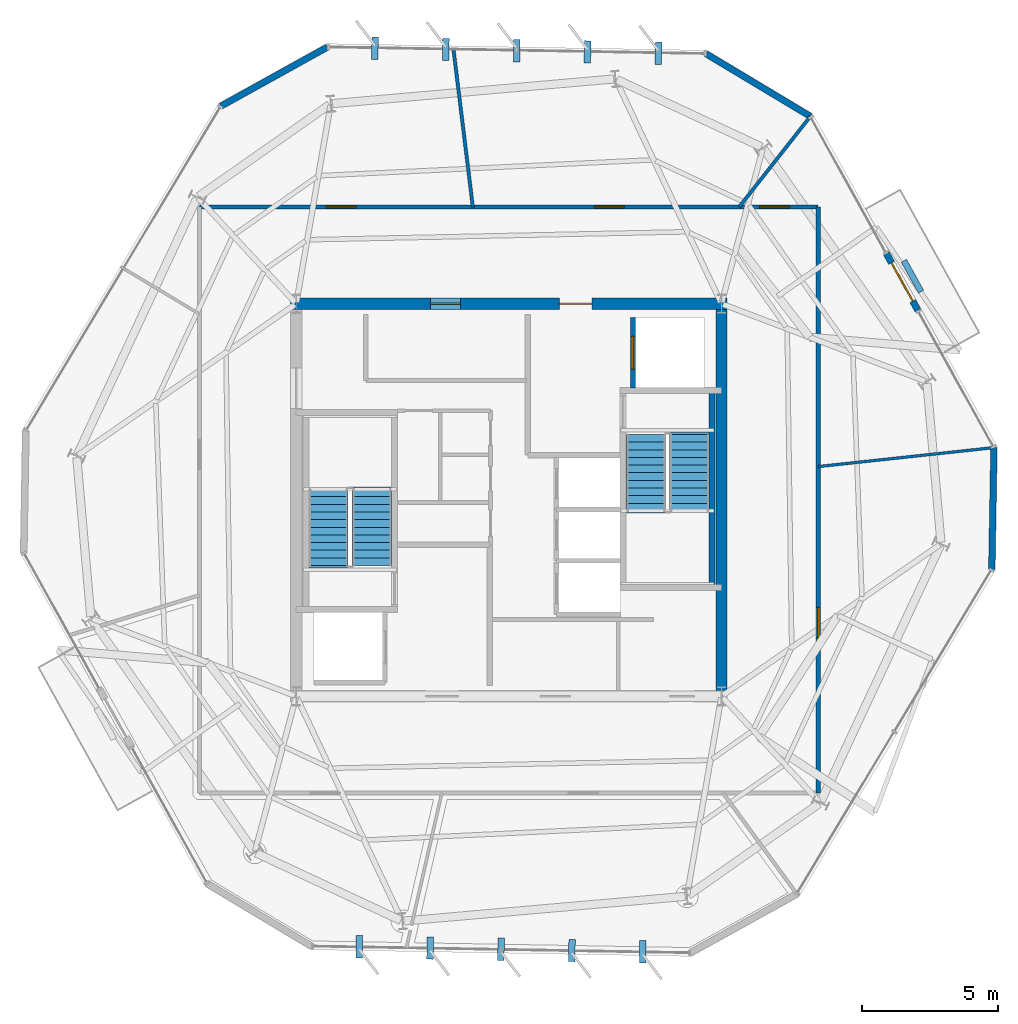
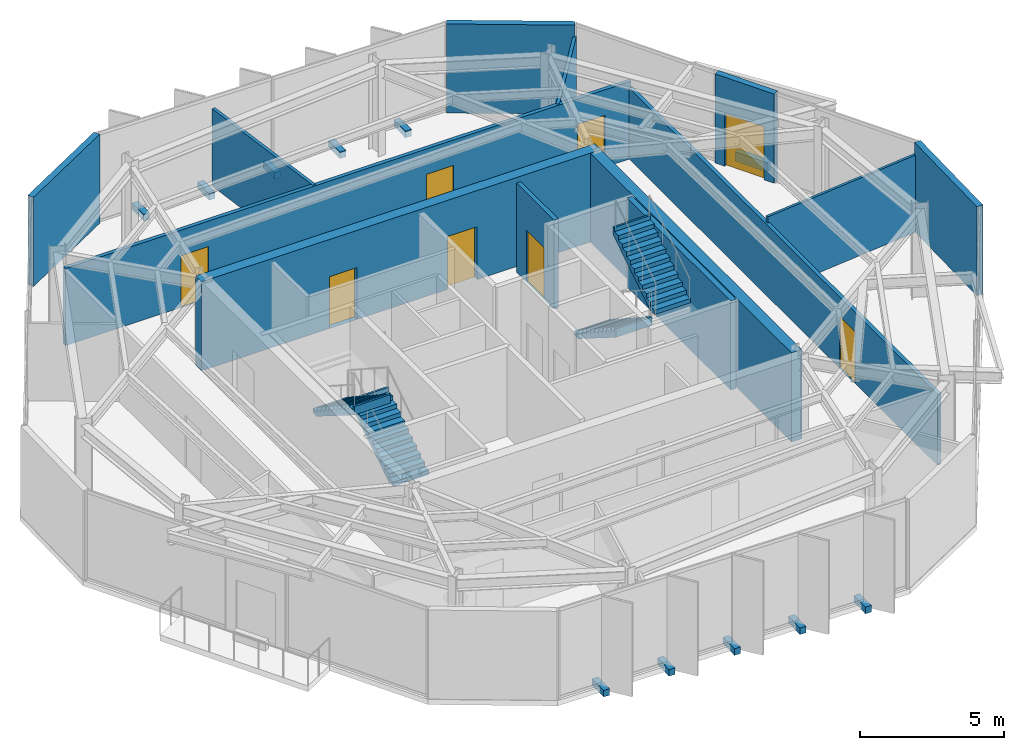
# One storey, part 8 of 10: 14 walls, 10 discrete accessories, 8 doors, 4 stair flights, 8 openings, 2 elements without a shape of their own.
"""IFC4 building model written with IfcOpenShell, lengths in metres."""

from ifc_helpers import new_model, si_unit, direction, frame, frame_2d, origin, origin_2d, place, context, subcontext, project, spatial, polyline, rectangle, outline, extrude, material, layer, layer_set, type_object, element, fill, aggregate, save


model = new_model("IFC4")

# Units and contexts
model_context = context("Model", 3, precision=1e-05, world=origin(), true_north=direction((0.0, 1.0)))
body_context = subcontext(model_context, "Body", "Model", "MODEL_VIEW")
ifc_project = project(units=[si_unit("LENGTHUNIT", "METRE"), si_unit("AREAUNIT", "SQUARE_METRE"), si_unit("VOLUMEUNIT", "CUBIC_METRE"), si_unit("PLANEANGLEUNIT", "RADIAN"), si_unit("MASSUNIT", "GRAM", prefix="KILO")], contexts=[model_context])

# Site, building, storey
site_placement = place(None, origin())
site = spatial("IfcSite", under=ifc_project, at=site_placement, CompositionType="ELEMENT")
building_placement = place(site_placement, origin())
building = spatial("IfcBuilding", under=site, at=building_placement, Name="Kranzbogen Civic Tower", CompositionType="ELEMENT")
storey_placement = place(building_placement, frame((0.0, 0.0, 262.199951171875)))
storey = spatial("IfcBuildingStorey", under=building, at=storey_placement, Name="L63", CompositionType="ELEMENT", Elevation=262.199951171875)

# Wall, openings, doors
ifc_material_1 = material(Name="Double-Stud Acoustic Gypsum Partition")
ifc_layer_1 = layer(ifc_material_1, 0.14990234375, Name="Double-Stud Acoustic Gypsum Partition")
ifc_layer_set_1 = layer_set([ifc_layer_1], Name="Double-Stud Acoustic Gypsum Partition")
wall_type_1 = type_object("IfcWallType", Name="Acoustic Corridor and Clinical Partition 150 mm", PredefinedType="PARTITIONING", material=ifc_layer_set_1)
wall_1_placement = place(storey_placement, frame((13.64990234375, 35.75, 0.0), z_axis=(0.0, 0.0, 1.0), x_axis=(1.0, 0.0, 0.0)))
wall_1 = element("IfcWall", 1, at=wall_1_placement, inside=storey, type_object=wall_type_1, Name="L63 corridor partition 01", PredefinedType="PARTITIONING", context=body_context, shape_type="SweptSolid", body=[
    extrude(rectangle(XDim=22.7001953125, YDim=0.14990234375, at=frame_2d((11.35009765625, 0.0))), origin(), (0.0, 0.0, 1.0), 3.280029296875),
])
opening_1_placement = place(wall_1_placement, frame((20.550048828125, 0.0, 0.0)))
opening_1 = element("IfcOpeningElement", 2, at=opening_1_placement, cuts=wall_1, Name="Opening D-COR60", PredefinedType="OPENING", context=body_context, shape_type="SweptSolid", body=[
    extrude(rectangle(XDim=1.10009765625, YDim=2.199951171875, at=frame_2d((0.550048828125, 1.10009765625))), frame((0.0, 0.0849609375, 0.0), z_axis=(0.0, -1.0, 0.0), x_axis=(1.0, 0.0, 0.0)), (0.0, 0.0, 1.0), 0.169921875),
])
opening_2_placement = place(wall_1_placement, frame((14.48291015625, 0.0, 0.0)))
opening_2 = element("IfcOpeningElement", 3, at=opening_2_placement, cuts=wall_1, Name="Opening D-COR60", PredefinedType="OPENING", context=body_context, shape_type="SweptSolid", body=[
    extrude(rectangle(XDim=1.10009765625, YDim=2.199951171875, at=frame_2d((0.550048828125, 1.10009765625))), frame((0.0, 0.0849609375, 0.0), z_axis=(0.0, -1.0, 0.0), x_axis=(1.0, 0.0, 0.0)), (0.0, 0.0, 1.0), 0.169921875),
])
opening_3_placement = place(wall_1_placement, frame((4.64404296875, 0.0, 0.0)))
opening_3 = element("IfcOpeningElement", 4, at=opening_3_placement, cuts=wall_1, Name="Opening D-COR60", PredefinedType="OPENING", context=body_context, shape_type="SweptSolid", body=[
    extrude(rectangle(XDim=1.10009765625, YDim=2.199951171875, at=frame_2d((0.550048828125, 1.10009765625))), frame((0.0, 0.0849609375, 0.0), z_axis=(0.0, -1.0, 0.0), x_axis=(1.0, 0.0, 0.0)), (0.0, 0.0, 1.0), 0.169921875),
])
ifc_material_2 = material(Name="Oak Timber and Fire Core", Category="wood")
door_type_1 = type_object("IfcDoorType", Name="Corridor Acoustic Fire Door 1100x2200", OperationType="NOTDEFINED", PredefinedType="DOOR", material=ifc_material_2)
door_1_placement = place(opening_1_placement, origin())
door_1 = element("IfcDoor", 5, at=door_1_placement, inside=storey, type_object=door_type_1, Name="L63 Staff Tea Pantry door", OperationType="SINGLE_SWING_LEFT", OverallHeight=2.199951171875, OverallWidth=1.10009765625, PredefinedType="DOOR", context=body_context, shape_type="SweptSolid", body=[
    extrude(rectangle(XDim=1.10009765625, YDim=2.199951171875, at=frame_2d((0.550048828125, 1.10009765625))), frame((0.0, 0.02490234375, 0.0), z_axis=(0.0, -1.0, 0.0), x_axis=(1.0, 0.0, 0.0)), (0.0, 0.0, 1.0), 0.050048828125),
])
fill(opening_1, door_1)
door_2_placement = place(opening_2_placement, origin())
door_2 = element("IfcDoor", 6, at=door_2_placement, inside=storey, type_object=door_type_1, Name="L63 Hospitality Catering Kitchen door", OperationType="SINGLE_SWING_RIGHT", OverallHeight=2.199951171875, OverallWidth=1.10009765625, PredefinedType="DOOR", context=body_context, shape_type="SweptSolid", body=[
    extrude(rectangle(XDim=1.10009765625, YDim=2.199951171875, at=frame_2d((0.550048828125, 1.10009765625))), frame((0.0, 0.02490234375, 0.0), z_axis=(0.0, -1.0, 0.0), x_axis=(1.0, 0.0, 0.0)), (0.0, 0.0, 1.0), 0.050048828125),
])
fill(opening_2, door_2)
door_3_placement = place(opening_3_placement, origin())
door_3 = element("IfcDoor", 7, at=door_3_placement, inside=storey, type_object=door_type_1, Name="L63 Refreshment Galley Pantry door", OperationType="SINGLE_SWING_LEFT", OverallHeight=2.199951171875, OverallWidth=1.10009765625, PredefinedType="DOOR", context=body_context, shape_type="SweptSolid", body=[
    extrude(rectangle(XDim=1.10009765625, YDim=2.199951171875, at=frame_2d((0.550048828125, 1.10009765625))), frame((0.0, 0.02490234375, 0.0), z_axis=(0.0, -1.0, 0.0), x_axis=(1.0, 0.0, 0.0)), (0.0, 0.0, 1.0), 0.050048828125),
])
fill(opening_3, door_3)

# Wall, opening, door
wall_2_placement = place(storey_placement, frame((36.35009765625, 35.75, 0.0), z_axis=(0.0, 0.0, 1.0), x_axis=(0.0, -1.0, 0.0)))
wall_2 = element("IfcWall", 8, at=wall_2_placement, inside=storey, type_object=wall_type_1, Name="L63 corridor partition 02", PredefinedType="PARTITIONING", context=body_context, shape_type="SweptSolid", body=[
    extrude(rectangle(XDim=21.5, YDim=0.14990234375, at=frame_2d((10.75, 0.0))), origin(), (0.0, 0.0, 1.0), 3.02001953125),
])
opening_4_placement = place(wall_2_placement, frame((14.68603515625, 0.0, 0.0)))
opening_4 = element("IfcOpeningElement", 9, at=opening_4_placement, cuts=wall_2, Name="Opening D-COR60", PredefinedType="OPENING", context=body_context, shape_type="SweptSolid", body=[
    extrude(rectangle(XDim=1.10009765625, YDim=2.199951171875, at=frame_2d((0.550048828125, 1.10009765625))), frame((0.0, 0.0849609375, 0.0), z_axis=(0.0, -1.0, 0.0), x_axis=(1.0, 0.0, 0.0)), (0.0, 0.0, 1.0), 0.169921875),
])
door_4_placement = place(opening_4_placement, origin())
door_4 = element("IfcDoor", 10, at=door_4_placement, inside=storey, type_object=door_type_1, Name="L63 Protocol Entrance Reception door", OperationType="SINGLE_SWING_RIGHT", OverallHeight=2.199951171875, OverallWidth=1.10009765625, PredefinedType="DOOR", context=body_context, shape_type="SweptSolid", body=[
    extrude(rectangle(XDim=1.10009765625, YDim=2.199951171875, at=frame_2d((0.550048828125, 1.10009765625))), frame((0.0, 0.02490234375, 0.0), z_axis=(0.0, -1.0, 0.0), x_axis=(1.0, 0.0, 0.0)), (0.0, 0.0, 1.0), 0.050048828125),
])
fill(opening_4, door_4)

# Walls
ifc_material_3 = material(Name="Insulated Metal-Stud Gypsum Partition")
ifc_layer_2 = layer(ifc_material_3, 0.125, Name="Insulated Metal-Stud Gypsum Partition")
ifc_layer_set_2 = layer_set([ifc_layer_2], Name="Insulated Metal-Stud Gypsum Partition")
wall_type_2 = type_object("IfcWallType", Name="Acoustic Inter-Room Partition 125 mm", PredefinedType="PARTITIONING", material=ifc_layer_set_2)
wall_3_placement = place(storey_placement, frame((23.678955078125, 35.75, 0.0), z_axis=(0.0, 0.0, 1.0), x_axis=(-0.12199730689, 0.992530431328, 0.0)))
element("IfcWall", 11, at=wall_3_placement, inside=storey, type_object=wall_type_2, Name="L63 radial room partition 01", PredefinedType="PARTITIONING", context=body_context, shape_type="SweptSolid", body=[
    extrude(rectangle(XDim=5.8115234375, YDim=0.125, at=frame_2d((2.90576171875, 0.0))), origin(), (0.0, 0.0, 1.0), 3.280029296875),
])
wall_4_placement = place(storey_placement, frame((33.448974609375, 35.75, 0.0), z_axis=(0.0, 0.0, 1.0), x_axis=(0.617980365639, 0.786193530681, 0.0)))
element("IfcWall", 12, at=wall_4_placement, inside=storey, type_object=wall_type_2, Name="L63 radial room partition 07", PredefinedType="PARTITIONING", context=body_context, shape_type="SweptSolid", body=[
    extrude(rectangle(XDim=4.208984375, YDim=0.125, at=frame_2d((2.1044921875, 0.0))), origin(), (0.0, 0.0, 1.0), 3.280029296875),
])
ifc_material_4 = material(Name="Architectural Precast Terracotta Concrete C40/50", Category="masonry")
ifc_layer_3 = layer(ifc_material_4, 0.219970703125, Name="Architectural Precast Terracotta Concrete C40/50")
ifc_layer_set_3 = layer_set([ifc_layer_3], Name="Architectural Precast Terracotta Concrete C40/50")
wall_type_3 = type_object("IfcWallType", Name="Architectural Tree Planter Kerb Wall 220 mm", PredefinedType="USERDEFINED", material=ifc_layer_set_3)
wall_5_placement = place(storey_placement, frame((40.1220703125, 32.638916015625, 0.0), z_axis=(0.0, 0.0, 1.0), x_axis=(-0.484351793237, 0.874873328195, 0.0)))
element("IfcWall", 13, at=wall_5_placement, inside=storey, type_object=wall_type_3, Name="L63 landscaped tree balcony planter L63-TB1", ObjectType="PLANTER_WALL", PredefinedType="USERDEFINED", context=body_context, shape_type="SweptSolid", body=[
    extrude(rectangle(XDim=1.301025390625, YDim=0.219970703125, at=frame_2d((0.650390625, 0.0))), origin(), (0.0, 0.0, 1.0), 0.400146484375),
])

# Wall, openings, doors
ifc_material_5 = material(Name="Concrete C45/55", Category="concrete")
ifc_layer_4 = layer(ifc_material_5, 0.419921875, Name="Concrete C45/55")
ifc_layer_set_4 = layer_set([ifc_layer_4], Name="Concrete C45/55")
wall_type_4 = type_object("IfcWallType", Name="Central Core Shear Wall 420 mm", PredefinedType="SHEAR", material=ifc_layer_set_4)
wall_6_placement = place(storey_placement, frame((33.010009765625, 32.199951171875, 0.0), z_axis=(0.0, 0.0, 1.0), x_axis=(-1.0, 0.0, 0.0)))
wall_6 = element("IfcWall", 14, at=wall_6_placement, inside=storey, type_object=wall_type_4, Name="L63 central core North shear wall", PredefinedType="SHEAR", context=body_context, shape_type="SweptSolid", body=[
    extrude(rectangle(XDim=16.02001953125, YDim=0.419921875, at=frame_2d((8.010009765625, 0.0))), origin(), (0.0, 0.0, 1.0), 3.780029296875),
])
opening_5_placement = place(wall_6_placement, frame((4.9599609375, 0.0, 0.0)))
opening_5 = element("IfcOpeningElement", 15, at=opening_5_placement, cuts=wall_6, Name="Opening D-EX120", PredefinedType="OPENING", context=body_context, shape_type="SweptSolid", body=[
    extrude(rectangle(XDim=1.199951171875, YDim=2.25, at=frame_2d((0.60009765625, 1.125))), frame((0.0, 0.219970703125, 0.0), z_axis=(0.0, -1.0, 0.0), x_axis=(1.0, 0.0, 0.0)), (0.0, 0.0, 1.0), 0.43994140625),
])
opening_6_placement = place(wall_6_placement, frame((9.784912109375, 0.0, 0.0)))
opening_6 = element("IfcOpeningElement", 16, at=opening_6_placement, cuts=wall_6, Name="Opening D-COR60", PredefinedType="OPENING", context=body_context, shape_type="SweptSolid", body=[
    extrude(rectangle(XDim=1.10009765625, YDim=2.199951171875, at=frame_2d((0.550048828125, 1.10009765625))), frame((0.0, 0.219970703125, 0.0), z_axis=(0.0, -1.0, 0.0), x_axis=(1.0, 0.0, 0.0)), (0.0, 0.0, 1.0), 0.43994140625),
])
door_5_placement = place(opening_6_placement, origin())
door_5 = element("IfcDoor", 17, at=door_5_placement, inside=storey, type_object=door_type_1, Name="L63 DAT1 comms room door", OperationType="SINGLE_SWING_LEFT", OverallHeight=2.199951171875, OverallWidth=1.10009765625, PredefinedType="DOOR", context=body_context, shape_type="SweptSolid", body=[
    extrude(rectangle(XDim=1.10009765625, YDim=2.199951171875, at=frame_2d((0.550048828125, 1.10009765625))), frame((0.0, 0.02490234375, 0.0), z_axis=(0.0, -1.0, 0.0), x_axis=(1.0, 0.0, 0.0)), (0.0, 0.0, 1.0), 0.050048828125),
])
fill(opening_6, door_5)
ifc_material_6 = material(Name="Steel S355", Category="steel")
door_type_2 = type_object("IfcDoorType", Name="Exit Passageway Fire Door 1200x2250", OperationType="NOTDEFINED", PredefinedType="DOOR", material=ifc_material_6)
door_6_placement = place(opening_5_placement, origin())
door_6 = element("IfcDoor", 18, at=door_6_placement, inside=storey, type_object=door_type_2, Name="L63 East firefighting lobby corridor door", OperationType="SINGLE_SWING_RIGHT", OverallHeight=2.25, OverallWidth=1.199951171875, PredefinedType="DOOR", context=body_context, shape_type="SweptSolid", body=[
    extrude(rectangle(XDim=1.199951171875, YDim=2.25, at=frame_2d((0.60009765625, 1.125))), frame((0.0, 0.02490234375, 0.0), z_axis=(0.0, -1.0, 0.0), x_axis=(1.0, 0.0, 0.0)), (0.0, 0.0, 1.0), 0.050048828125),
])
fill(opening_5, door_6)

# Walls
wall_7_placement = place(storey_placement, frame((32.800048828125, 18.010009765625, 0.0), z_axis=(0.0, 0.0, 1.0), x_axis=(0.0, 1.0, 0.0)))
element("IfcWall", 19, at=wall_7_placement, inside=storey, type_object=wall_type_4, Name="L63 central core East shear wall", PredefinedType="SHEAR", context=body_context, shape_type="SweptSolid", body=[
    extrude(rectangle(XDim=13.97998046875, YDim=0.419921875, at=frame_2d((6.989990234375, 0.0))), origin(), (0.0, 0.0, 1.0), 3.780029296875),
])
ifc_layer_5 = layer(ifc_material_5, 0.219970703125, Name="Concrete C45/55")
ifc_layer_set_5 = layer_set([ifc_layer_5], Name="Concrete C45/55")
wall_type_5 = type_object("IfcWallType", Name="Core Internal Stair Structural Wall 220 mm", PredefinedType="SOLIDWALL", material=ifc_layer_set_5)
wall_8_placement = place(storey_placement, frame((32.445068359375, 29.010009765625, 0.0), z_axis=(0.0, 0.0, 1.0), x_axis=(0.0, -1.0, 0.0)))
element("IfcWall", 20, at=wall_8_placement, inside=storey, type_object=wall_type_5, Name="L63 ST-T2 East structural stair wall", PredefinedType="SOLIDWALL", context=body_context, shape_type="SweptSolid", body=[
    extrude(rectangle(XDim=7.219970703125, YDim=0.219970703125, at=frame_2d((3.60986328125, 0.0))), origin(), (0.0, 0.0, 1.0), 3.780029296875),
])
ifc_material_7 = material(Name="Demountable Aluminium and Gypsum Partition", Category="aluminium")
ifc_layer_6 = layer(ifc_material_7, 0.10009765625, Name="Demountable Aluminium and Gypsum Partition")
ifc_layer_set_6 = layer_set([ifc_layer_6], Name="Demountable Aluminium and Gypsum Partition")
wall_type_6 = type_object("IfcWallType", Name="Demountable Office Partition 100 mm", PredefinedType="MOVABLE", material=ifc_layer_set_6)
wall_9_placement = place(storey_placement, frame((36.35009765625, 26.22607421875, 0.0), z_axis=(0.0, 0.0, 1.0), x_axis=(0.994224701647, 0.107318417034, 0.0)))
element("IfcWall", 21, at=wall_9_placement, inside=storey, type_object=wall_type_6, Name="L63 radial room partition 06", PredefinedType="MOVABLE", context=body_context, shape_type="SweptSolid", body=[
    extrude(rectangle(XDim=6.46533203125, YDim=0.10009765625, at=frame_2d((3.232666015625, 0.0))), origin(), (0.0, 0.0, 1.0), 3.280029296875),
])

# Wall, opening, door
ifc_material_8 = material(Name="Gypsum Fireboard Shaftliner")
ifc_layer_7 = layer(ifc_material_8, 0.175048828125, Name="Gypsum Fireboard Shaftliner")
ifc_layer_set_7 = layer_set([ifc_layer_7], Name="Gypsum Fireboard Shaftliner")
wall_type_7 = type_object("IfcWallType", Name="Fire-Rated Lift and Service Shaft Wall 175 mm", PredefinedType="PARTITIONING", material=ifc_layer_set_7)
wall_10_placement = place(storey_placement, frame((29.550048828125, 29.10009765625, 0.0), z_axis=(0.0, 0.0, 1.0), x_axis=(0.0, 1.0, 0.0)))
wall_10 = element("IfcWall", 22, at=wall_10_placement, inside=storey, type_object=wall_type_7, Name="L63 lift FF-02 landing wall", PredefinedType="PARTITIONING", context=body_context, shape_type="SweptSolid", body=[
    extrude(rectangle(XDim=2.599853515625, YDim=0.175048828125, at=frame_2d((1.2998046875, 0.0))), origin(), (0.0, 0.0, 1.0), 3.780029296875),
])
opening_7_placement = place(wall_10_placement, frame((0.699951171875, 0.0, 0.0)))
opening_7 = element("IfcOpeningElement", 23, at=opening_7_placement, cuts=wall_10, Name="Opening LD-FF-02", PredefinedType="OPENING", context=body_context, shape_type="SweptSolid", body=[
    extrude(rectangle(XDim=1.199951171875, YDim=2.199951171875, at=frame_2d((0.60009765625, 1.10009765625))), frame((0.0, 0.09765625, 0.0), z_axis=(0.0, -1.0, 0.0), x_axis=(1.0, 0.0, 0.0)), (0.0, 0.0, 1.0), 0.195068359375),
])
ifc_material_9 = material(Name="Pale Anodised Aluminium", Category="aluminium")
door_type_3 = type_object("IfcDoorType", Name="Firefighting and Stretcher Lift Sliding Landing Door 1200x2200", OperationType="DOUBLE_DOOR_SLIDING", PredefinedType="DOOR", material=ifc_material_9)
door_7_placement = place(opening_7_placement, origin())
door_7 = element("IfcDoor", 24, at=door_7_placement, inside=storey, type_object=door_type_3, Name="L63 lift FF-02 sliding landing door", OperationType="DOUBLE_DOOR_SLIDING", OverallHeight=2.199951171875, OverallWidth=1.199951171875, PredefinedType="DOOR", context=body_context, shape_type="SweptSolid", body=[
    extrude(rectangle(XDim=1.199951171875, YDim=2.199951171875, at=frame_2d((0.60009765625, 1.10009765625))), frame((0.0, 0.02490234375, 0.0), z_axis=(0.0, -1.0, 0.0), x_axis=(1.0, 0.0, 0.0)), (0.0, 0.0, 1.0), 0.050048828125),
])
fill(opening_7, door_7)

# Walls
ifc_layer_8 = layer(ifc_material_9, 0.239990234375, Name="Pale Anodised Aluminium")
ifc_layer_set_8 = layer_set([ifc_layer_8], Name="Pale Anodised Aluminium")
wall_type_8 = type_object("IfcWallType", Name="Insulated Aluminium Facade Portal Wall 240 mm", PredefinedType="STANDARD", material=ifc_layer_set_8)
wall_11_placement = place(storey_placement, frame((18.343017578125, 41.614990234375, 0.0), z_axis=(0.0, 0.0, 1.0), x_axis=(-0.874577351509, -0.484886023956, 0.0)))
element("IfcWall", 25, at=wall_11_placement, inside=storey, type_object=wall_type_8, Name="L63 chamfered corner facade spandrel 1", PredefinedType="STANDARD", context=body_context, shape_type="SweptSolid", body=[
    extrude(rectangle(XDim=4.465087890625, YDim=0.239990234375, at=frame_2d((2.232421875, 0.0))), origin(), (0.0, 0.0, 1.0), 3.780029296875),
])
wall_12_placement = place(storey_placement, frame((42.717041015625, 22.4580078125, 0.0), z_axis=(0.0, 0.0, 1.0), x_axis=(0.017443339635, 0.999847853377, 0.0)))
element("IfcWall", 26, at=wall_12_placement, inside=storey, type_object=wall_type_8, Name="L63 chamfered corner facade spandrel 5", PredefinedType="STANDARD", context=body_context, shape_type="SweptSolid", body=[
    extrude(rectangle(XDim=4.46484375, YDim=0.239990234375, at=frame_2d((2.232421875, 0.0))), origin(), (0.0, 0.0, 1.0), 3.780029296875),
])

# Wall, opening, door
wall_13_placement = place(storey_placement, frame((40.009033203125, 31.947998046875, 0.0), z_axis=(0.0, 0.0, 1.0), x_axis=(-0.484657920522, 0.874703778473, 0.0)))
wall_13 = element("IfcWall", 27, at=wall_13_placement, inside=storey, type_object=wall_type_8, Name="L63 exterior entrance portal wall 1", PredefinedType="STANDARD", context=body_context, shape_type="SweptSolid", body=[
    extrude(rectangle(XDim=2.39990234375, YDim=0.239990234375, at=frame_2d((1.199951171875, 0.0))), origin(), (0.0, 0.0, 1.0), 3.780029296875),
])
opening_8_placement = place(wall_13_placement, frame((0.39990234375, 0.0, 0.0)))
opening_8 = element("IfcOpeningElement", 28, at=opening_8_placement, cuts=wall_13, Name="Opening D-TER", PredefinedType="OPENING", context=body_context, shape_type="SweptSolid", body=[
    extrude(rectangle(XDim=1.60009765625, YDim=2.25, at=frame_2d((0.800048828125, 1.125))), frame((0.0, 0.1298828125, 0.0), z_axis=(0.0, -1.0, 0.0), x_axis=(1.0, 0.0, 0.0)), (0.0, 0.0, 1.0), 0.260009765625),
])
ifc_material_10 = material(Name="Anodised Bronze and Triple Glass", Category="glass")
door_type_4 = type_object("IfcDoorType", Name="Glazed Terrace and Balcony Double Door 1600x2250", OperationType="DOUBLE_DOOR_SINGLE_SWING", PredefinedType="DOOR", material=ifc_material_10)
door_8_placement = place(opening_8_placement, frame((1.60009765625, 0.0, 0.0), z_axis=(0.0, 0.0, 1.0), x_axis=(-1.0, 0.0, 0.0)))
door_8 = element("IfcDoor", 29, at=door_8_placement, inside=storey, type_object=door_type_4, Name="L63 tree balcony access door L63-TB1", OperationType="DOUBLE_DOOR_SINGLE_SWING", OverallHeight=2.25, OverallWidth=1.60009765625, PredefinedType="DOOR", context=body_context, shape_type="SweptSolid", body=[
    extrude(rectangle(XDim=1.60009765625, YDim=2.25, at=frame_2d((0.800048828125, 1.125))), frame((0.0, 0.02490234375, 0.0), z_axis=(0.0, -1.0, 0.0), x_axis=(1.0, 0.0, 0.0)), (0.0, 0.0, 1.0), 0.050048828125),
])
fill(opening_8, door_8)

# Wall
wall_14_placement = place(storey_placement, frame((36.06005859375, 39.072998046875, 0.0), z_axis=(0.0, 0.0, 1.0), x_axis=(-0.857275764621, 0.514857517566, 0.0)))
element("IfcWall", 30, at=wall_14_placement, inside=storey, type_object=wall_type_8, Name="L63 chamfered corner facade spandrel 6", PredefinedType="STANDARD", context=body_context, shape_type="SweptSolid", body=[
    extrude(rectangle(XDim=4.46533203125, YDim=0.239990234375, at=frame_2d((2.232666015625, 0.0))), origin(), (0.0, 0.0, 1.0), 3.780029296875),
])

# Stair, stair flights
ifc_material_11 = material(Name="Precast concrete C40/50", Category="concrete")
stair_type_1 = type_object("IfcStairType", Name="Tower Core Pressurized Dogleg Stair 1450", PredefinedType="HALF_TURN_STAIR", material=ifc_material_11)
stair_1_placement = place(storey_placement, origin())
stair_1 = element("IfcStair", 31, at=stair_1_placement, inside=storey, type_object=stair_type_1, Name="L63 Tower Core Pressurized Stair 1", PredefinedType="HALF_TURN_STAIR")
stair_flight_type = type_object("IfcStairFlightType", Name="Precast Concrete Stair Flight R180", PredefinedType="STRAIGHT", material=ifc_material_11)
stair_flight_1_placement = place(storey_placement, frame((19.97509765625, 22.60009765625, 0.0), z_axis=(0.0, 0.0, 1.0), x_axis=(0.0, 1.0, 0.0)))
stair_flight_1 = element("IfcStairFlight", 32, at=stair_flight_1_placement, type_object=stair_flight_type, Name="ST-T1 flight 1", NumberOfRisers=11, NumberOfTreads=10, PredefinedType="STRAIGHT", RiserHeight=0.181818182, TreadLength=0.28, context=body_context, shape_type="SweptSolid", body=[
    extrude(outline(polyline([(0.0, 0.0), (0.0, 0.181884765625), (0.280029296875, 0.181884765625), (0.280029296875, 0.363525390625), (0.56005859375, 0.363525390625), (0.56005859375, 0.54541015625), (0.840087890625, 0.54541015625), (0.840087890625, 0.727294921875), (1.1201171875, 0.727294921875), (1.1201171875, 0.9091796875), (1.39990234375, 0.9091796875), (1.39990234375, 1.0908203125), (1.679931640625, 1.0908203125), (1.679931640625, 1.272705078125), (1.9599609375, 1.272705078125), (1.9599609375, 1.45458984375), (2.239990234375, 1.45458984375), (2.239990234375, 1.636474609375), (2.52001953125, 1.636474609375), (2.52001953125, 1.818115234375), (2.800048828125, 1.818115234375), (2.800048828125, 2.0), (2.880126953125, 2.0), (2.880126953125, 1.639404296875), (0.275146484375, 0.0), (0.0, 0.0)])), frame((0.0, 0.72509765625, 0.0), z_axis=(0.0, -1.0, 0.0), x_axis=(1.0, 0.0, 0.0)), (0.0, 0.0, 1.0), 1.449951171875),
])
stair_flight_2_placement = place(storey_placement, frame((18.375, 25.39990234375, 2.0), z_axis=(0.0, 0.0, 1.0), x_axis=(0.0, -1.0, 0.0)))
stair_flight_2 = element("IfcStairFlight", 33, at=stair_flight_2_placement, type_object=stair_flight_type, Name="ST-T1 flight 2", NumberOfRisers=11, NumberOfTreads=10, PredefinedType="STRAIGHT", RiserHeight=0.181818182, TreadLength=0.28, context=body_context, shape_type="SweptSolid", body=[
    extrude(outline(polyline([(0.0, 0.0), (0.0, 0.181884765625), (0.280029296875, 0.181884765625), (0.280029296875, 0.363525390625), (0.56005859375, 0.363525390625), (0.56005859375, 0.54541015625), (0.840087890625, 0.54541015625), (0.840087890625, 0.727294921875), (1.1201171875, 0.727294921875), (1.1201171875, 0.9091796875), (1.39990234375, 0.9091796875), (1.39990234375, 1.0908203125), (1.679931640625, 1.0908203125), (1.679931640625, 1.272705078125), (1.9599609375, 1.272705078125), (1.9599609375, 1.45458984375), (2.239990234375, 1.45458984375), (2.239990234375, 1.636474609375), (2.52001953125, 1.636474609375), (2.52001953125, 1.818115234375), (2.800048828125, 1.818115234375), (2.800048828125, 2.0), (2.880126953125, 2.0), (2.880126953125, 1.639404296875), (0.275146484375, 0.0), (0.0, 0.0)])), frame((0.0, 0.72509765625, 0.0), z_axis=(0.0, -1.0, 0.0), x_axis=(1.0, 0.0, 0.0)), (0.0, 0.0, 1.0), 1.449951171875),
])
aggregate(stair_1, [stair_flight_1, stair_flight_2])

stair_type_2 = type_object("IfcStairType", Name="Tower Core Secondary Dogleg Stair 1450", PredefinedType="HALF_TURN_STAIR", material=ifc_material_11)
stair_2_placement = place(storey_placement, origin())
stair_2 = element("IfcStair", 34, at=stair_2_placement, inside=storey, type_object=stair_type_2, Name="L63 Tower Core Pressurized Stair 2", PredefinedType="HALF_TURN_STAIR")
stair_flight_3_placement = place(storey_placement, frame((30.02490234375, 27.39990234375, 0.0), z_axis=(0.0, 0.0, 1.0), x_axis=(0.0, -1.0, 0.0)))
stair_flight_3 = element("IfcStairFlight", 35, at=stair_flight_3_placement, type_object=stair_flight_type, Name="ST-T2 flight 1", NumberOfRisers=11, NumberOfTreads=10, PredefinedType="STRAIGHT", RiserHeight=0.181818182, TreadLength=0.28, context=body_context, shape_type="SweptSolid", body=[
    extrude(outline(polyline([(0.0, 0.0), (0.0, 0.181884765625), (0.280029296875, 0.181884765625), (0.280029296875, 0.363525390625), (0.56005859375, 0.363525390625), (0.56005859375, 0.54541015625), (0.840087890625, 0.54541015625), (0.840087890625, 0.727294921875), (1.1201171875, 0.727294921875), (1.1201171875, 0.9091796875), (1.39990234375, 0.9091796875), (1.39990234375, 1.0908203125), (1.679931640625, 1.0908203125), (1.679931640625, 1.272705078125), (1.9599609375, 1.272705078125), (1.9599609375, 1.45458984375), (2.239990234375, 1.45458984375), (2.239990234375, 1.636474609375), (2.52001953125, 1.636474609375), (2.52001953125, 1.818115234375), (2.800048828125, 1.818115234375), (2.800048828125, 2.0), (2.880126953125, 2.0), (2.880126953125, 1.639404296875), (0.275146484375, 0.0), (0.0, 0.0)])), frame((0.0, 0.72509765625, 0.0), z_axis=(0.0, -1.0, 0.0), x_axis=(1.0, 0.0, 0.0)), (0.0, 0.0, 1.0), 1.449951171875),
])
stair_flight_4_placement = place(storey_placement, frame((31.625, 24.60009765625, 2.0), z_axis=(0.0, 0.0, 1.0), x_axis=(0.0, 1.0, 0.0)))
stair_flight_4 = element("IfcStairFlight", 36, at=stair_flight_4_placement, type_object=stair_flight_type, Name="ST-T2 flight 2", NumberOfRisers=11, NumberOfTreads=10, PredefinedType="STRAIGHT", RiserHeight=0.181818182, TreadLength=0.28, context=body_context, shape_type="SweptSolid", body=[
    extrude(outline(polyline([(0.0, 0.0), (0.0, 0.181884765625), (0.280029296875, 0.181884765625), (0.280029296875, 0.363525390625), (0.56005859375, 0.363525390625), (0.56005859375, 0.54541015625), (0.840087890625, 0.54541015625), (0.840087890625, 0.727294921875), (1.1201171875, 0.727294921875), (1.1201171875, 0.9091796875), (1.39990234375, 0.9091796875), (1.39990234375, 1.0908203125), (1.679931640625, 1.0908203125), (1.679931640625, 1.272705078125), (1.9599609375, 1.272705078125), (1.9599609375, 1.45458984375), (2.239990234375, 1.45458984375), (2.239990234375, 1.636474609375), (2.52001953125, 1.636474609375), (2.52001953125, 1.818115234375), (2.800048828125, 1.818115234375), (2.800048828125, 2.0), (2.880126953125, 2.0), (2.880126953125, 1.639404296875), (0.275146484375, 0.0), (0.0, 0.0)])), frame((0.0, 0.72509765625, 0.0), z_axis=(0.0, -1.0, 0.0), x_axis=(1.0, 0.0, 0.0)), (0.0, 0.0, 1.0), 1.449951171875),
])
aggregate(stair_2, [stair_flight_3, stair_flight_4])

# Discrete accessories
discrete_accessory_type = type_object("IfcDiscreteAccessoryType", Name="Structural Curtain-Wall Fin Support Bracket", PredefinedType="BRACKET", material=ifc_material_6)
for number, where, z_axis, x_axis, name in (
    (37, (30.487060546875, 41.39208984375, -0.25), (0.0, 0.0, 1.0), (0.017452406437, 0.999847695156, 0.0), "L63 facade fin support bracket F1-1"),
    (38, (27.886962890625, 41.43701171875, -0.25), (0.0, 0.0, 1.0), (0.017452406437, 0.999847695156, 0.0), "L63 facade fin support bracket F1-2"),
    (39, (25.2880859375, 41.48291015625, -0.25), (0.0, 0.0, 1.0), (0.017452406437, 0.999847695156, 0.0), "L63 facade fin support bracket F1-3"),
    (40, (22.68798828125, 41.528076171875, -0.25), (0.0, 0.0, 1.0), (0.017452406437, 0.999847695156, 0.0), "L63 facade fin support bracket F1-4"),
    (41, (20.087890625, 41.573974609375, -0.25), (0.0, 0.0, 1.0), (0.017452406437, 0.999847695156, 0.0), "L63 facade fin support bracket F1-5"),
    (42, (19.512939453125, 8.60791015625, -0.25), (0.0, 0.0, 1.0), (-0.017452406437, -0.999847695156, 0.0), "L63 facade fin support bracket F4-1"),
    (43, (22.113037109375, 8.56298828125, -0.25), (0.0, 0.0, 1.0), (-0.017452406437, -0.999847695156, 0.0), "L63 facade fin support bracket F4-2"),
    (44, (24.7119140625, 8.51708984375, -0.25), (0.0, 0.0, 1.0), (-0.017452406437, -0.999847695156, 0.0), "L63 facade fin support bracket F4-3"),
    (45, (27.31201171875, 8.471923828125, -0.25), (0.0, 0.0, 1.0), (-0.017452406437, -0.999847695156, 0.0), "L63 facade fin support bracket F4-4"),
    (46, (29.912109375, 8.426025390625, -0.25), (0.0, 0.0, 1.0), (-0.017452406437, -0.999847695156, 0.0), "L63 facade fin support bracket F4-5"),
):
    element("IfcDiscreteAccessory", number, at=place(storey_placement, frame(where, z_axis=z_axis, x_axis=x_axis)), inside=storey, type_object=discrete_accessory_type, Name=name, PredefinedType="BRACKET", context=body_context, shape_type="SweptSolid", body=[
        extrude(rectangle(XDim=0.820068359375, YDim=0.239990234375, at=origin_2d()), origin(), (0.0, 0.0, 1.0), 0.280029296875),
    ])

save(model, "model.ifc")
